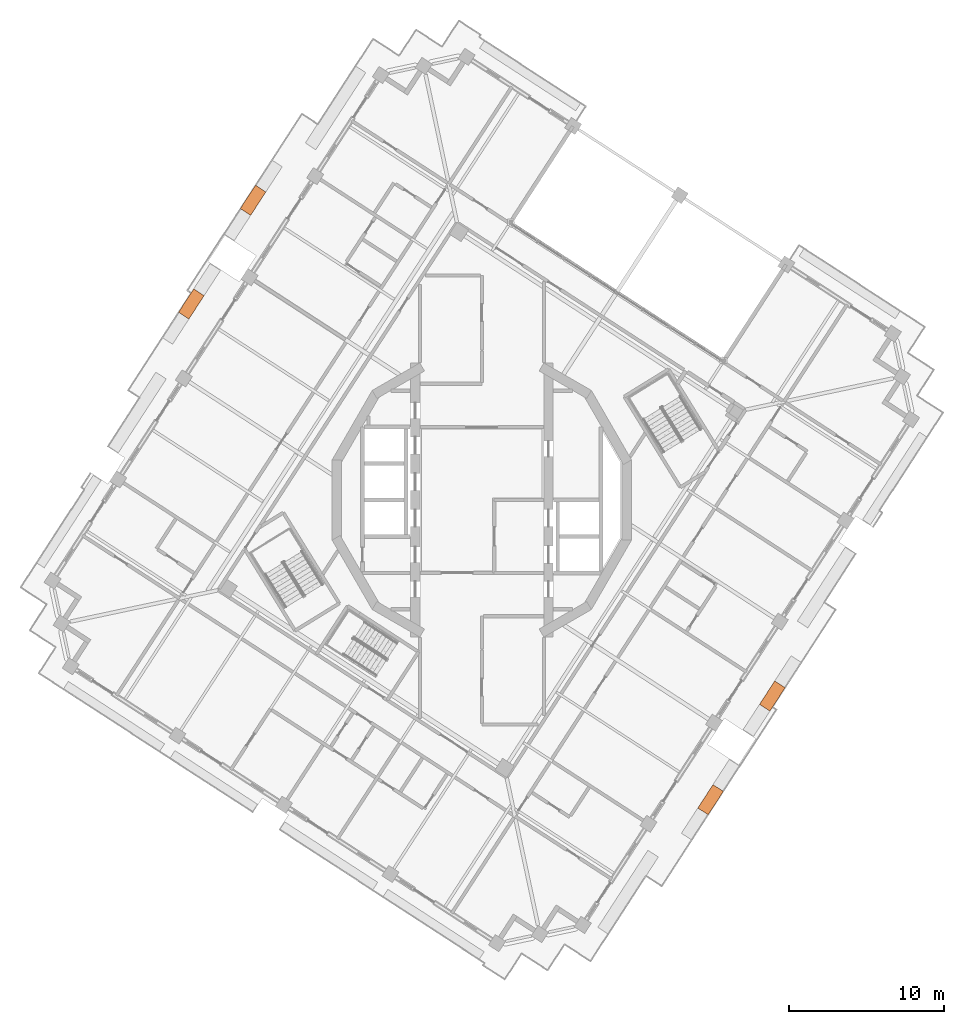
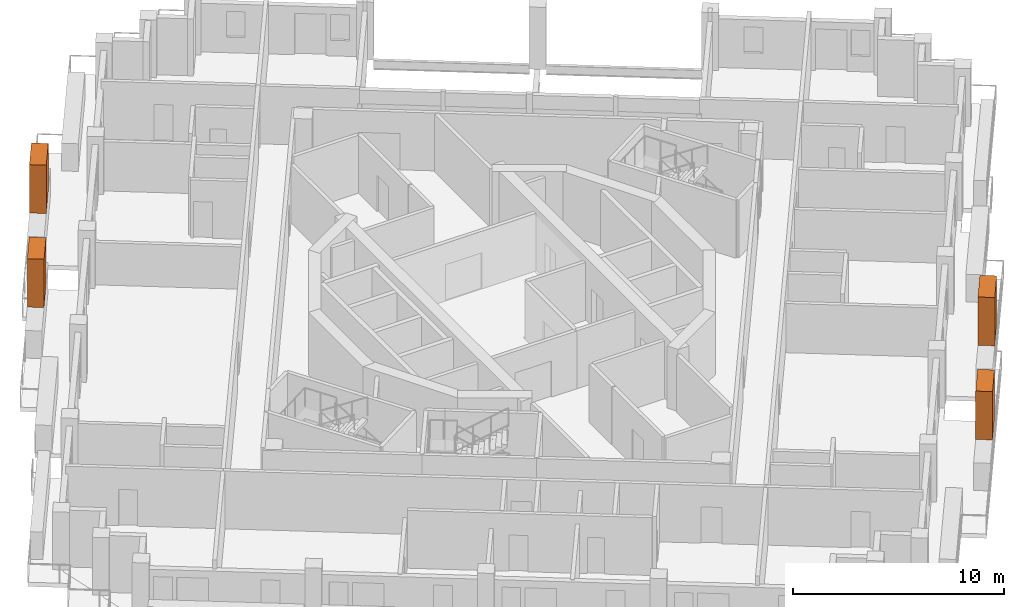
# One storey, part 17 of 17: 4 proxies.
"""IFC4 building model written with IfcOpenShell, lengths in metres."""

from ifc_helpers import new_model, si_unit, direction, frame, origin, origin_2d, place, context, subcontext, project, spatial, rectangle, extrude, element, save


model = new_model("IFC4")

# Units and contexts
model_context = context("Model", 3, precision=1e-05, world=origin(), true_north=direction((0.0, 1.0)))
body_context = subcontext(model_context, "Body", "Model", "MODEL_VIEW")
ifc_project = project(units=[si_unit("LENGTHUNIT", "METRE"), si_unit("AREAUNIT", "SQUARE_METRE"), si_unit("VOLUMEUNIT", "CUBIC_METRE"), si_unit("PLANEANGLEUNIT", "RADIAN"), si_unit("MASSUNIT", "GRAM", prefix="KILO")], contexts=[model_context])

# Site, building, storey
site_placement = place(None, origin())
site = spatial("IfcSite", under=ifc_project, at=site_placement, CompositionType="ELEMENT")
building_placement = place(site_placement, origin())
building = spatial("IfcBuilding", under=site, at=building_placement, Name="Cantera Rosa Tower", CompositionType="ELEMENT")
storey_placement = place(building_placement, frame((0.0, 0.0, 279.300048828125)))
storey = spatial("IfcBuildingStorey", under=building, at=storey_placement, Name="L63", CompositionType="ELEMENT", Elevation=279.300048828125)

# Proxies
for number, where, z_axis, x_axis, name in (
    (1, (-14.763916015625, 19.34130859375, 1.60009765625), (0.0, 0.0, 1.0), (-0.544639035015, -0.838670567945, 0.0), "TREE L63-06"),
    (2, (-18.747314453125, 12.651611328125, 1.60009765625), (0.0, 0.0, 1.0), (-0.544639035015, -0.838670567945, 0.0), "TREE L63-07"),
    (3, (14.763916015625, -19.34130859375, 1.60009765625), (0.0, 0.0, 1.0), (0.544639035015, 0.838670567945, 0.0), "TREE L63-15"),
    (4, (18.747314453125, -12.651611328125, 1.60009765625), (0.0, 0.0, 1.0), (0.544639035015, 0.838670567945, 0.0), "TREE L63-16"),
):
    element("IfcBuildingElementProxy", number, at=place(storey_placement, frame(where, z_axis=z_axis, x_axis=x_axis)), inside=storey, Name=name, ObjectType="TREE", PredefinedType="USERDEFINED", context=body_context, shape_type="SweptSolid", body=[
        extrude(rectangle(XDim=1.800048828125, YDim=0.800048828125, at=origin_2d()), origin(), (0.0, 0.0, 1.0), 2.800048828125),
    ])

save(model, "model.ifc")
